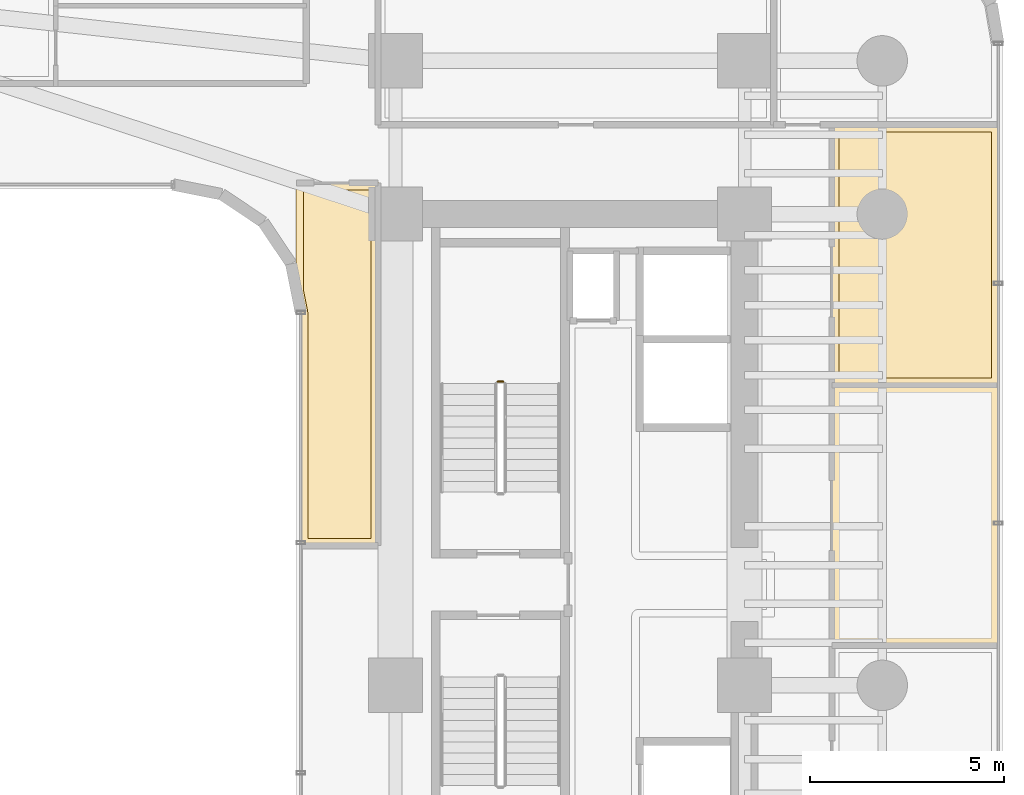
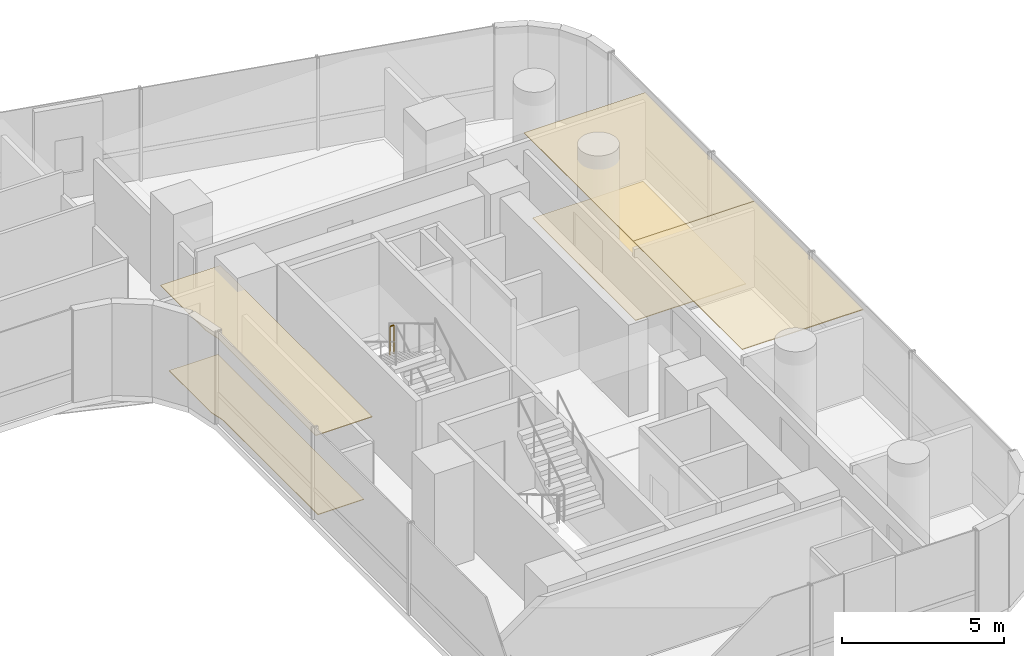
# One storey, part 38 of 40: 5 coverings, 1 railing.
"""IFC4 building model written with IfcOpenShell, lengths in metres."""

from ifc_helpers import new_model, si_unit, direction, frame, origin, origin_2d, place, context, subcontext, project, spatial, polyline, circle, outline, extrude, material, layer, layer_set, type_object, element, save


model = new_model("IFC4")

# Units and contexts
model_context = context("Model", 3, precision=1e-05, world=origin(), true_north=direction((0.0, 1.0)))
body_context = subcontext(model_context, "Body", "Model", "MODEL_VIEW")
ifc_project = project(units=[si_unit("LENGTHUNIT", "METRE"), si_unit("AREAUNIT", "SQUARE_METRE"), si_unit("VOLUMEUNIT", "CUBIC_METRE"), si_unit("PLANEANGLEUNIT", "RADIAN"), si_unit("MASSUNIT", "GRAM", prefix="KILO")], contexts=[model_context])

# Site, building, storey
site_placement = place(None, origin())
site = spatial("IfcSite", under=ifc_project, at=site_placement, CompositionType="ELEMENT")
building_placement = place(site_placement, origin())
building = spatial("IfcBuilding", under=site, at=building_placement, Name="Valdorenza Pilgrim Sanctuary Tower", CompositionType="ELEMENT")
storey_placement = place(building_placement, frame((0.0, 0.0, 40.800048828125)))
storey = spatial("IfcBuildingStorey", under=building, at=storey_placement, Name="L09", CompositionType="ELEMENT", Elevation=40.800048828125)

# Coverings
ifc_material_1 = material(Name="Micro-perforated acoustic mineral ceiling tile", Category="gypsum")
ifc_layer_1 = layer(ifc_material_1, 0.02490234375, Name="Micro-perforated acoustic mineral ceiling tile")
ifc_layer_set_1 = layer_set([ifc_layer_1], Name="Micro-perforated acoustic mineral ceiling tile")
covering_type_1 = type_object("IfcCoveringType", Name="COV-CLG-ACU", PredefinedType="CEILING", material=ifc_layer_set_1)
covering_1_placement = place(storey_placement, frame((0.0, 0.0, 3.159912109375)))
element("IfcCovering", 1, at=covering_1_placement, inside=storey, type_object=covering_type_1, Name="L09 East Reading Lounge L09-EB3 Acoustic Ceiling", PredefinedType="CEILING", context=body_context, shape_type="SweptSolid", body=[
    extrude(outline(polyline([(27.0849609375, 5.137451171875), (27.085205078125, 5.138916015625), (27.085205078125, 5.140380859375), (27.085693359375, 5.141845703125), (27.086181640625, 5.143310546875), (27.0869140625, 5.14453125), (27.08740234375, 5.145751953125), (27.08837890625, 5.14697265625), (27.08935546875, 5.148193359375), (27.090576171875, 5.149169921875), (27.091796875, 5.14990234375), (27.093017578125, 5.150634765625), (27.09423828125, 5.1513671875), (27.095703125, 5.15185546875), (27.09716796875, 5.152099609375), (27.098388671875, 5.15234375), (27.10009765625, 5.152587890625), (31.389892578125, 5.152587890625), (31.3916015625, 5.15234375), (31.392822265625, 5.152099609375), (31.394287109375, 5.15185546875), (31.395751953125, 5.1513671875), (31.397216796875, 5.150634765625), (31.398193359375, 5.14990234375), (31.3994140625, 5.149169921875), (31.400634765625, 5.148193359375), (31.401611328125, 5.14697265625), (31.402587890625, 5.145751953125), (31.4033203125, 5.14453125), (31.40380859375, 5.143310546875), (31.404296875, 5.141845703125), (31.40478515625, 5.140380859375), (31.40478515625, 5.138916015625), (31.405029296875, 5.137451171875), (31.405029296875, -1.572998046875), (31.40478515625, -1.574462890625), (31.40478515625, -1.575927734375), (31.404296875, -1.577392578125), (31.40380859375, -1.57861328125), (31.4033203125, -1.580078125), (31.402587890625, -1.581298828125), (31.401611328125, -1.58251953125), (31.400634765625, -1.58349609375), (31.3994140625, -1.584716796875), (31.398193359375, -1.58544921875), (31.397216796875, -1.586181640625), (31.395751953125, -1.5869140625), (31.394287109375, -1.58740234375), (31.392822265625, -1.587646484375), (31.3916015625, -1.587890625), (31.389892578125, -1.587890625), (27.10009765625, -1.587890625), (27.098388671875, -1.587890625), (27.09716796875, -1.587646484375), (27.095703125, -1.58740234375), (27.09423828125, -1.5869140625), (27.093017578125, -1.586181640625), (27.091796875, -1.58544921875), (27.090576171875, -1.584716796875), (27.08935546875, -1.58349609375), (27.08837890625, -1.58251953125), (27.08740234375, -1.581298828125), (27.0869140625, -1.580078125), (27.086181640625, -1.57861328125), (27.085693359375, -1.577392578125), (27.085205078125, -1.575927734375), (27.085205078125, -1.574462890625), (27.0849609375, -1.572998046875), (27.0849609375, 5.137451171875)])), origin(), (0.0, 0.0, 1.0), 0.025146484375),
])
covering_2_placement = place(storey_placement, frame((0.0, 0.0, 3.159912109375)))
element("IfcCovering", 2, at=covering_2_placement, inside=storey, type_object=covering_type_1, Name="L09 East Reading Lounge L09-EB4 Acoustic Ceiling", PredefinedType="CEILING", context=body_context, shape_type="SweptSolid", body=[
    extrude(outline(polyline([(27.0849609375, 11.847900390625), (27.085205078125, 11.849609375), (27.085205078125, 11.850830078125), (27.085693359375, 11.852294921875), (27.086181640625, 11.853759765625), (27.0869140625, 11.85498046875), (27.08740234375, 11.856201171875), (27.08837890625, 11.857421875), (27.08935546875, 11.858642578125), (27.090576171875, 11.859619140625), (27.091796875, 11.860595703125), (27.093017578125, 11.861083984375), (27.09423828125, 11.86181640625), (27.095703125, 11.8623046875), (27.09716796875, 11.86279296875), (27.098388671875, 11.86279296875), (27.10009765625, 11.863037109375), (31.389892578125, 11.863037109375), (31.3916015625, 11.86279296875), (31.392822265625, 11.86279296875), (31.394287109375, 11.8623046875), (31.395751953125, 11.86181640625), (31.397216796875, 11.861083984375), (31.398193359375, 11.860595703125), (31.3994140625, 11.859619140625), (31.400634765625, 11.858642578125), (31.401611328125, 11.857421875), (31.402587890625, 11.856201171875), (31.4033203125, 11.85498046875), (31.40380859375, 11.853759765625), (31.404296875, 11.852294921875), (31.40478515625, 11.850830078125), (31.40478515625, 11.849609375), (31.405029296875, 11.847900390625), (31.405029296875, 5.139404296875), (31.40478515625, 5.137939453125), (31.40478515625, 5.13671875), (31.404296875, 5.135009765625), (31.40380859375, 5.1337890625), (31.4033203125, 5.13232421875), (31.402587890625, 5.131103515625), (31.401611328125, 5.1298828125), (31.400634765625, 5.12890625), (31.3994140625, 5.1279296875), (31.398193359375, 5.126953125), (31.397216796875, 5.126220703125), (31.395751953125, 5.12548828125), (31.394287109375, 5.125), (31.392822265625, 5.124755859375), (31.3916015625, 5.12451171875), (31.389892578125, 5.12451171875), (27.10009765625, 5.12451171875), (27.098388671875, 5.12451171875), (27.09716796875, 5.124755859375), (27.095703125, 5.125), (27.09423828125, 5.12548828125), (27.093017578125, 5.126220703125), (27.091796875, 5.126953125), (27.090576171875, 5.1279296875), (27.08935546875, 5.12890625), (27.08837890625, 5.1298828125), (27.08740234375, 5.131103515625), (27.0869140625, 5.13232421875), (27.086181640625, 5.1337890625), (27.085693359375, 5.135009765625), (27.085205078125, 5.13671875), (27.085205078125, 5.137939453125), (27.0849609375, 5.139404296875), (27.0849609375, 11.847900390625)])), origin(), (0.0, 0.0, 1.0), 0.025146484375),
])
covering_3_placement = place(storey_placement, frame((0.0, 0.0, 3.159912109375)))
element("IfcCovering", 3, at=covering_3_placement, inside=storey, type_object=covering_type_1, Name="L09 Courtyard Overlook Salon L09 Acoustic Ceiling", PredefinedType="CEILING", context=body_context, shape_type="SweptSolid", body=[
    extrude(outline(polyline([(15.39990234375, 10.364990234375), (15.401611328125, 10.364990234375), (15.40283203125, 10.36474609375), (15.404296875, 10.364501953125), (15.40576171875, 10.364013671875), (15.406982421875, 10.36328125), (15.408203125, 10.362548828125), (15.409423828125, 10.361572265625), (15.41064453125, 10.360595703125), (15.41162109375, 10.359619140625), (15.41259765625, 10.3583984375), (15.4130859375, 10.357177734375), (15.413818359375, 10.355712890625), (15.414306640625, 10.3544921875), (15.414794921875, 10.352783203125), (15.414794921875, 10.3515625), (15.4150390625, 10.35009765625), (15.4150390625, 1.0), (15.414794921875, 0.99853515625), (15.414794921875, 0.9970703125), (15.414306640625, 0.99560546875), (15.413818359375, 0.994384765625), (15.4130859375, 0.992919921875), (15.41259765625, 0.99169921875), (15.41162109375, 0.990478515625), (15.41064453125, 0.989501953125), (15.409423828125, 0.98828125), (15.408203125, 0.987548828125), (15.406982421875, 0.98681640625), (15.40576171875, 0.986083984375), (15.404296875, 0.985595703125), (15.40283203125, 0.9853515625), (15.401611328125, 0.985107421875), (15.39990234375, 0.985107421875), (13.409912109375, 0.985107421875), (13.408447265625, 0.985107421875), (13.406982421875, 0.9853515625), (13.405517578125, 0.985595703125), (13.404296875, 0.986083984375), (13.40283203125, 0.98681640625), (13.401611328125, 0.987548828125), (13.400390625, 0.98828125), (13.3994140625, 0.989501953125), (13.3984375, 0.990478515625), (13.3974609375, 0.99169921875), (13.396728515625, 0.992919921875), (13.39599609375, 0.994384765625), (13.3955078125, 0.99560546875), (13.395263671875, 0.9970703125), (13.39501953125, 0.99853515625), (13.39501953125, 1.0), (13.39501953125, 6.99951171875), (13.39453125, 7.00927734375), (13.39306640625, 7.018798828125), (13.285400390625, 7.560791015625), (13.28515625, 7.562255859375), (13.284912109375, 7.563720703125), (13.284912109375, 10.35009765625), (13.28515625, 10.3515625), (13.285400390625, 10.352783203125), (13.28564453125, 10.3544921875), (13.2861328125, 10.355712890625), (13.286865234375, 10.357177734375), (13.28759765625, 10.3583984375), (13.288330078125, 10.359619140625), (13.289306640625, 10.360595703125), (13.29052734375, 10.361572265625), (13.291748046875, 10.362548828125), (13.29296875, 10.36328125), (13.294189453125, 10.364013671875), (13.295654296875, 10.364501953125), (13.297119140625, 10.36474609375), (13.298583984375, 10.364990234375), (13.300048828125, 10.364990234375), (15.39990234375, 10.364990234375)])), origin(), (0.0, 0.0, 1.0), 0.025146484375),
])
ifc_material_2 = material(Name="Honed travertine stone flooring", Category="masonry")
ifc_layer_2 = layer(ifc_material_2, 0.030029296875, Name="Honed travertine stone flooring")
ifc_layer_set_2 = layer_set([ifc_layer_2], Name="Honed travertine stone flooring")
covering_type_2 = type_object("IfcCoveringType", Name="COV-FLR-TRV", PredefinedType="FLOORING", material=ifc_layer_set_2)
covering_4_placement = place(storey_placement, origin())
element("IfcCovering", 4, at=covering_4_placement, inside=storey, type_object=covering_type_2, Name="L09 East Reading Lounge L09-EB4 Flooring", PredefinedType="FLOORING", context=body_context, shape_type="SweptSolid", body=[
    extrude(outline(polyline([(27.280029296875, 11.66796875), (31.2099609375, 11.66796875), (31.2099609375, 5.319580078125), (27.280029296875, 5.319580078125), (27.280029296875, 11.66796875)])), origin(), (0.0, 0.0, 1.0), 0.02490234375),
])
covering_5_placement = place(storey_placement, origin())
element("IfcCovering", 5, at=covering_5_placement, inside=storey, type_object=covering_type_2, Name="L09 Courtyard Overlook Salon L09 Flooring", PredefinedType="FLOORING", context=body_context, shape_type="SweptSolid", body=[
    extrude(outline(polyline([(15.219970703125, 10.169921875), (15.219970703125, 1.179931640625), (13.590087890625, 1.179931640625), (13.590087890625, 7.0), (13.58984375, 7.0087890625), (13.58935546875, 7.01953125), (13.58740234375, 7.037109375), (13.5859375, 7.0478515625), (13.58447265625, 7.056640625), (13.47998046875, 7.58154296875), (13.47998046875, 10.169921875), (15.219970703125, 10.169921875)])), origin(), (0.0, 0.0, 1.0), 0.02490234375),
])

# Railing
ifc_material_3 = material(Name="Stainless steel Grade 316", Category="steel")
railing_type = type_object("IfcRailingType", Name="RLG-GRD-1120", PredefinedType="GUARDRAIL", material=ifc_material_3)
railing_placement = place(storey_placement, frame((18.6298828125, 5.22998046875, 1.849853515625)))
element("IfcRailing", 6, at=railing_placement, inside=storey, type_object=railing_type, Name="L09 ST-B1 stair guard 2", PredefinedType="GUARDRAIL", context=body_context, shape_type="SweptSolid", body=[
    extrude(circle(Radius=0.02392578125, at=origin_2d()), frame((0.0, 0.0, 1.076171875), z_axis=(-1.0, 0.0, 0.0), x_axis=(0.0, -1.0, 0.0)), (0.0, 0.0, 1.0), 0.14990234375),
    extrude(circle(Radius=0.02099609375, at=origin_2d()), origin(), (0.0, 0.0, 1.0), 1.052001953125),
    extrude(circle(Radius=0.02099609375, at=origin_2d()), frame((-0.14990234375, 0.0, 0.0)), (0.0, 0.0, 1.0), 1.052001953125),
])

save(model, "model.ifc")
